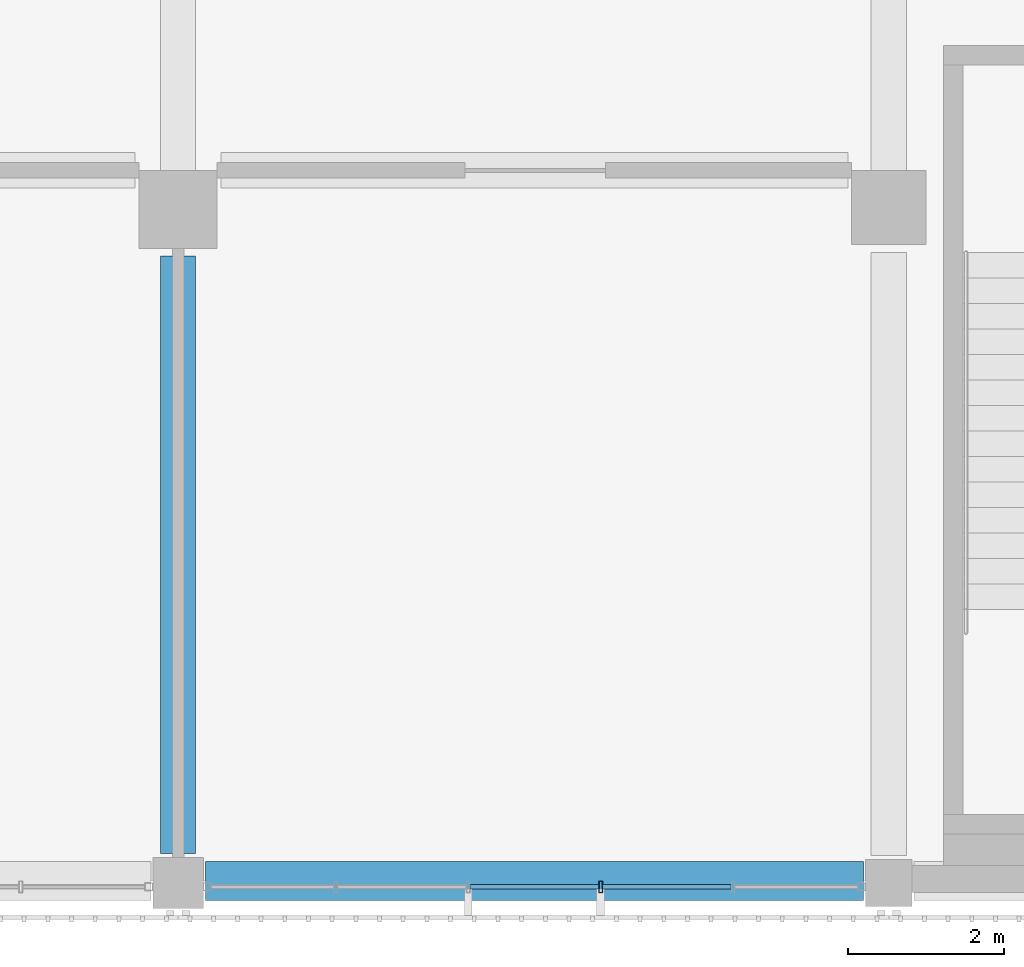
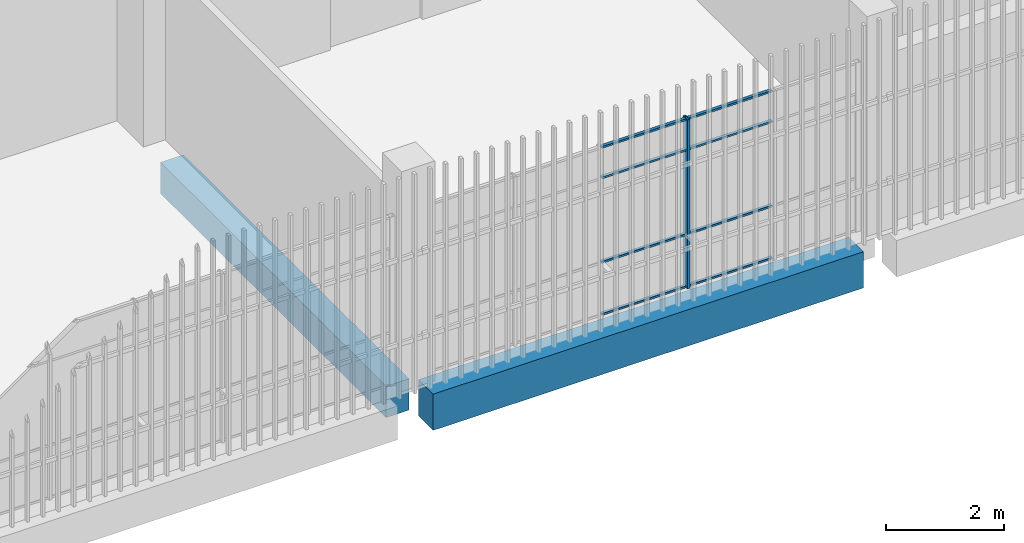
# One storey, part 17 of 126: 9 members, 2 beams, 1 element without a shape of its own.
"""IFC4 building model written with IfcOpenShell, lengths in metres."""

from ifc_helpers import new_model, si_unit, direction, frame, origin, origin_2d, place, context, subcontext, project, spatial, rectangle, hollow_rectangle, extrude, material, layer, layer_set, material_profile, profile_set, type_object, element, aggregate, save


model = new_model("IFC4")

# Units and contexts
model_context = context("Model", 3, precision=1e-05, world=origin(), true_north=direction((0.0, 1.0)))
body_context = subcontext(model_context, "Body", "Model", "MODEL_VIEW")
ifc_project = project(units=[si_unit("LENGTHUNIT", "METRE"), si_unit("AREAUNIT", "SQUARE_METRE"), si_unit("VOLUMEUNIT", "CUBIC_METRE"), si_unit("PLANEANGLEUNIT", "RADIAN"), si_unit("MASSUNIT", "GRAM", prefix="KILO")], contexts=[model_context])

# Site, building, storey
site_placement = place(None, origin())
site = spatial("IfcSite", under=ifc_project, at=site_placement, CompositionType="ELEMENT")
building_placement = place(site_placement, origin())
building = spatial("IfcBuilding", under=site, at=building_placement, Name="Shirokan Park Arena", CompositionType="ELEMENT")
storey_placement = place(building_placement, frame((0.0, 0.0, 6.3701171875)))
storey = spatial("IfcBuildingStorey", under=building, at=storey_placement, Name="L01", CompositionType="ELEMENT", Elevation=6.3701171875)

# Curtain wall, member
ifc_material_1 = material(Name="Steel and glass curtain wall", Category="steel")
ifc_layer = layer(ifc_material_1, 0.14990234375)
ifc_layer_set = layer_set([ifc_layer], Name="Steel and glass curtain wall 150 mm")
curtain_wall_type = type_object("IfcCurtainWallType", Name="Curtain wall exposed bay 150", PredefinedType="NOTDEFINED", material=ifc_layer_set)
curtain_wall_placement = place(storey_placement, origin())
curtain_wall = element("IfcCurtainWall", 1, at=curtain_wall_placement, inside=storey, type_object=curtain_wall_type, Name="Curtain wall south bay 9 L01", PredefinedType="NOTDEFINED")
ifc_material_2 = material(Name="Steel S355", Category="steel")
ifc_material_profile_1 = material_profile(ifc_material_2, hollow_rectangle(XDim=0.14990234375, YDim=0.050048828125, WallThickness=0.006103515625, at=origin_2d()), Name="RHS 150x50x6")
ifc_profile_set_1 = profile_set([ifc_material_profile_1], Name="Steel S355")
member_type_1 = type_object("IfcMemberType", Name="Mullion RHS 150x50x6", PredefinedType="MULLION", material=ifc_profile_set_1)
member_1_placement = place(storey_placement, frame((78.2099609375, -0.074951171875, 0.0), z_axis=(0.0, 0.0, 1.0), x_axis=(0.0, 1.0, 0.0)))
member_1 = element("IfcMember", 2, at=member_1_placement, type_object=member_type_1, Name="CW1 mullion 4", PredefinedType="MULLION", context=body_context, shape_type="SweptSolid", body=[
    extrude(hollow_rectangle(XDim=0.14990234375, YDim=0.050048828125, WallThickness=0.006103515625, at=origin_2d()), origin(), (0.0, 0.0, 1.0), 3.5),
])

# Beams
ifc_material_3 = material(Name="Concrete C35", Category="concrete")
ifc_material_profile_2 = material_profile(ifc_material_3, rectangle(XDim=0.449951171875, YDim=0.64990234375, at=origin_2d()), Name="450x650")
ifc_profile_set_2 = profile_set([ifc_material_profile_2], Name="Concrete C35")
beam_type_1 = type_object("IfcBeamType", Name="RC girder 450x650", PredefinedType="BEAM", material=ifc_profile_set_2)
beam_1_placement = place(storey_placement, frame((72.800048828125, 0.35009765625, -0.675048828125), z_axis=(0.0, 1.0, 0.0), x_axis=(-1.0, 0.0, 0.0)))
element("IfcBeam", 3, at=beam_1_placement, inside=storey, type_object=beam_type_1, Name="Girder 9A-9B L01", PredefinedType="BEAM", context=body_context, shape_type="SweptSolid", body=[
    extrude(rectangle(XDim=0.449951171875, YDim=0.64990234375, at=origin_2d()), origin(), (0.0, 0.0, 1.0), 7.64990234375),
])
ifc_material_profile_3 = material_profile(ifc_material_3, rectangle(XDim=0.5, YDim=0.75, at=origin_2d()), Name="500x750")
ifc_profile_set_3 = profile_set([ifc_material_profile_3], Name="Concrete C35")
beam_type_2 = type_object("IfcBeamType", Name="RC girder 500x750", PredefinedType="BEAM", material=ifc_profile_set_3)
beam_2_placement = place(storey_placement, frame((73.150146484375, 0.0, -0.72509765625), z_axis=(1.0, 0.0, 0.0), x_axis=(0.0, 1.0, 0.0)))
element("IfcBeam", 4, at=beam_2_placement, inside=storey, type_object=beam_type_2, Name="Girder 9A-10A L01", PredefinedType="BEAM", context=body_context, shape_type="SweptSolid", body=[
    extrude(rectangle(XDim=0.5, YDim=0.75, at=origin_2d()), origin(), (0.0, 0.0, 1.0), 8.4248046875),
])

# Member
ifc_material_profile_4 = material_profile(ifc_material_2, hollow_rectangle(XDim=0.06005859375, YDim=0.0400390625, WallThickness=0.00390625, at=origin_2d()), Name="RHS 60x40x4")
ifc_profile_set_4 = profile_set([ifc_material_profile_4], Name="Steel S355")
member_type_2 = type_object("IfcMemberType", Name="Transom RHS 60x40x4", PredefinedType="MULLION", material=ifc_profile_set_4)
member_2_placement = place(storey_placement, frame((76.5400390625, -0.074951171875, 0.019775390625), z_axis=(1.0, 0.0, 0.0), x_axis=(0.0, 1.0, 0.0)))
member_2 = element("IfcMember", 5, at=member_2_placement, type_object=member_type_2, Name="CW1 transom 3.1", PredefinedType="MULLION", context=body_context, shape_type="SweptSolid", body=[
    extrude(hollow_rectangle(XDim=0.06005859375, YDim=0.0400390625, WallThickness=0.00390625, at=origin_2d()), origin(), (0.0, 0.0, 1.0), 1.64501953125),
])

member_3_placement = place(storey_placement, frame((76.5400390625, -0.074951171875, 1.099853515625), z_axis=(1.0, 0.0, 0.0), x_axis=(0.0, 1.0, 0.0)))
member_3 = element("IfcMember", 6, at=member_3_placement, type_object=member_type_2, Name="CW1 transom 3.2", PredefinedType="MULLION", context=body_context, shape_type="SweptSolid", body=[
    extrude(hollow_rectangle(XDim=0.06005859375, YDim=0.0400390625, WallThickness=0.00390625, at=origin_2d()), origin(), (0.0, 0.0, 1.0), 1.64501953125),
])

member_4_placement = place(storey_placement, frame((76.5400390625, -0.074951171875, 2.849853515625), z_axis=(1.0, 0.0, 0.0), x_axis=(0.0, 1.0, 0.0)))
member_4 = element("IfcMember", 7, at=member_4_placement, type_object=member_type_2, Name="CW1 transom 3.3", PredefinedType="MULLION", context=body_context, shape_type="SweptSolid", body=[
    extrude(hollow_rectangle(XDim=0.06005859375, YDim=0.0400390625, WallThickness=0.00390625, at=origin_2d()), origin(), (0.0, 0.0, 1.0), 1.64501953125),
])

member_5_placement = place(storey_placement, frame((76.5400390625, -0.074951171875, 3.47998046875), z_axis=(1.0, 0.0, 0.0), x_axis=(0.0, 1.0, 0.0)))
member_5 = element("IfcMember", 8, at=member_5_placement, type_object=member_type_2, Name="CW1 transom 3.4", PredefinedType="MULLION", context=body_context, shape_type="SweptSolid", body=[
    extrude(hollow_rectangle(XDim=0.06005859375, YDim=0.0400390625, WallThickness=0.00390625, at=origin_2d()), origin(), (0.0, 0.0, 1.0), 1.64501953125),
])

member_6_placement = place(storey_placement, frame((78.235107421875, -0.074951171875, 0.019775390625), z_axis=(1.0, 0.0, 0.0), x_axis=(0.0, 1.0, 0.0)))
member_6 = element("IfcMember", 9, at=member_6_placement, type_object=member_type_2, Name="CW1 transom 4.1", PredefinedType="MULLION", context=body_context, shape_type="SweptSolid", body=[
    extrude(hollow_rectangle(XDim=0.06005859375, YDim=0.0400390625, WallThickness=0.00390625, at=origin_2d()), origin(), (0.0, 0.0, 1.0), 1.644775390625),
])

member_7_placement = place(storey_placement, frame((78.235107421875, -0.074951171875, 1.099853515625), z_axis=(1.0, 0.0, 0.0), x_axis=(0.0, 1.0, 0.0)))
member_7 = element("IfcMember", 10, at=member_7_placement, type_object=member_type_2, Name="CW1 transom 4.2", PredefinedType="MULLION", context=body_context, shape_type="SweptSolid", body=[
    extrude(hollow_rectangle(XDim=0.06005859375, YDim=0.0400390625, WallThickness=0.00390625, at=origin_2d()), origin(), (0.0, 0.0, 1.0), 1.644775390625),
])

member_8_placement = place(storey_placement, frame((78.235107421875, -0.074951171875, 2.849853515625), z_axis=(1.0, 0.0, 0.0), x_axis=(0.0, 1.0, 0.0)))
member_8 = element("IfcMember", 11, at=member_8_placement, type_object=member_type_2, Name="CW1 transom 4.3", PredefinedType="MULLION", context=body_context, shape_type="SweptSolid", body=[
    extrude(hollow_rectangle(XDim=0.06005859375, YDim=0.0400390625, WallThickness=0.00390625, at=origin_2d()), origin(), (0.0, 0.0, 1.0), 1.644775390625),
])

member_9_placement = place(storey_placement, frame((78.235107421875, -0.074951171875, 3.47998046875), z_axis=(1.0, 0.0, 0.0), x_axis=(0.0, 1.0, 0.0)))
member_9 = element("IfcMember", 12, at=member_9_placement, type_object=member_type_2, Name="CW1 transom 4.4", PredefinedType="MULLION", context=body_context, shape_type="SweptSolid", body=[
    extrude(hollow_rectangle(XDim=0.06005859375, YDim=0.0400390625, WallThickness=0.00390625, at=origin_2d()), origin(), (0.0, 0.0, 1.0), 1.644775390625),
])

aggregate(curtain_wall, [member_1, member_2, member_3, member_4, member_5, member_6, member_7, member_8, member_9])

save(model, "model.ifc")
